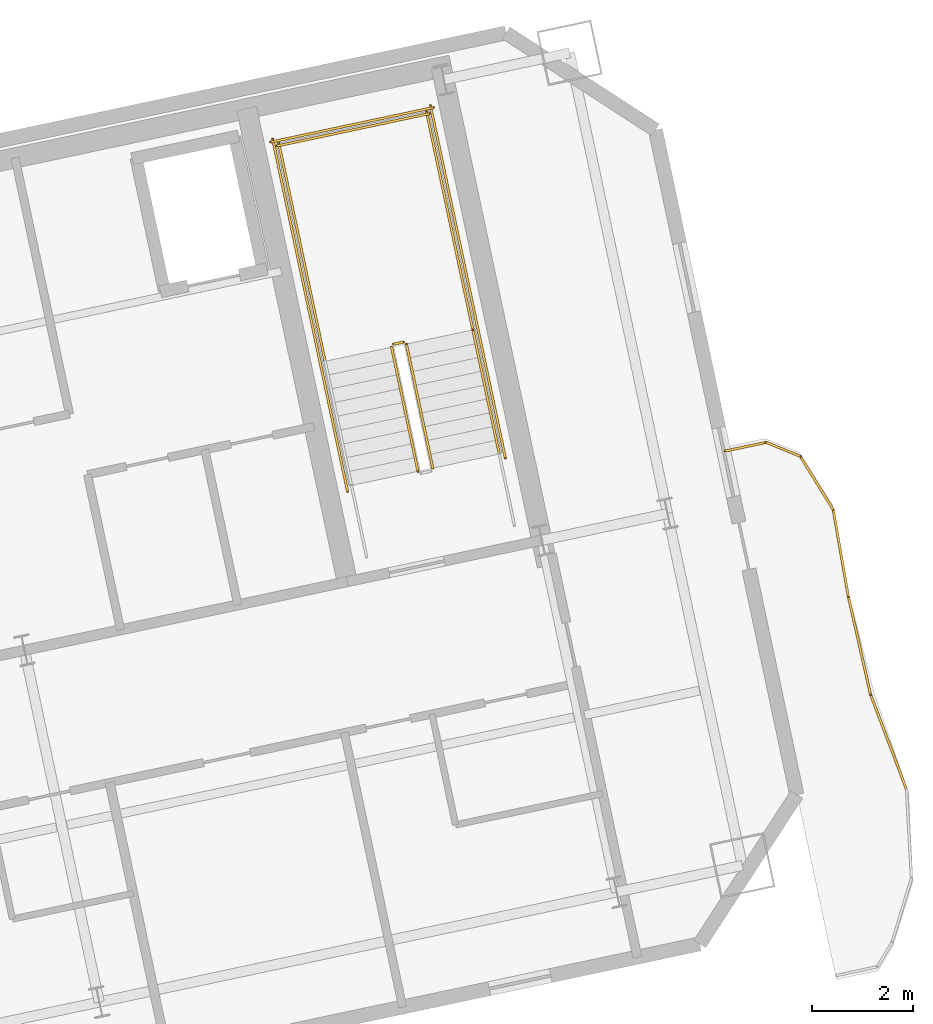
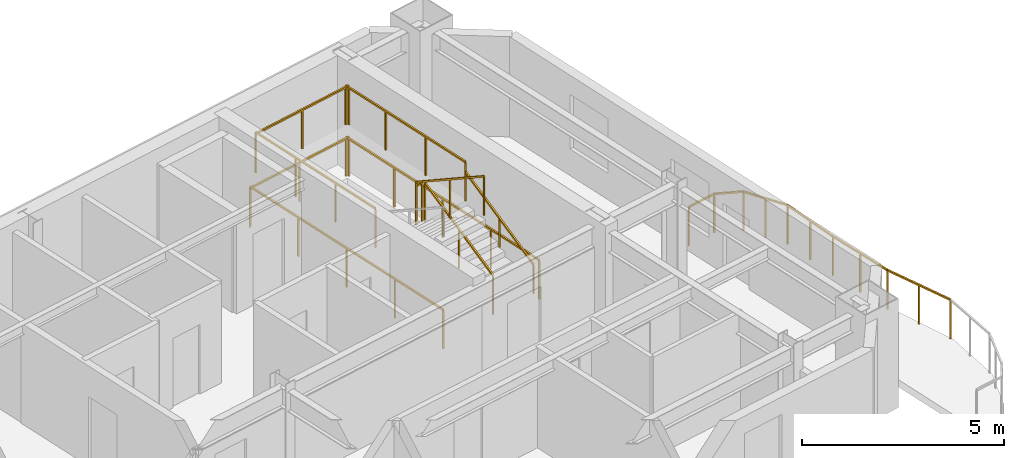
# One storey, part 14 of 14: 16 railings.
"""IFC4 building model written with IfcOpenShell, lengths in metres."""

import ifcopenshell
import ifcopenshell.guid

model = None  # the IFC model being written
_history = None  # IfcOwnerHistory: only IFC2X3 demands one
_inside = {}  # id of a spatial element -> (the spatial element, [elements in it])
_under = {}  # id of a project, library or spatial element -> (it, [spatial elements below it])
_declared = {}  # id of a project -> (the project, [libraries it declares])
_typed = {}  # id of a type object -> (the type object, [elements of that type])
_made_of = {}  # id of a material, layer set ... -> (it, [elements and type objects made of it])


def new_model(schema):
    """Start an empty IFC model of exactly this schema.

    Asked for "IFC4X3", IfcOpenShell would pick the latest addendum, in which some entities
    have other attributes; the version numbers below select the first issue.
    IFC2X3 requires an IfcOwnerHistory on every rooted entity: one is made here for all.
    """
    global model, _history
    if schema == "IFC4X3":
        model = ifcopenshell.file(schema_version=(4, 3, 0, 0))
    else:
        model = ifcopenshell.file(schema=schema)
    _inside.clear()
    _under.clear()
    _declared.clear()
    _typed.clear()
    _made_of.clear()
    _history = None
    if model.schema == "IFC2X3":
        org = make("IfcOrganization", Name="unknown")
        user = make(
            "IfcPersonAndOrganization",
            ThePerson=make("IfcPerson", FamilyName="unknown"),
            TheOrganization=org,
        )
        app = make(
            "IfcApplication",
            ApplicationDeveloper=org,
            Version="unknown",
            ApplicationFullName="unknown",
            ApplicationIdentifier="unknown",
        )
        _history = make(
            "IfcOwnerHistory",
            OwningUser=user,
            OwningApplication=app,
            ChangeAction="ADDED",
            CreationDate=0,
        )
    return model


def make(cls, **values):
    """One entity of the class cls with the attributes given. An attribute that is None is left unset."""
    return model.create_entity(
        cls, **{name: value for name, value in values.items() if value is not None}
    )


def rooted(cls, **values):
    """An entity with a GlobalId (a new one), such as an element, a storey or a relation."""
    return make(cls, GlobalId=ifcopenshell.guid.new(), OwnerHistory=_history, **values)


def si_unit(unit_type, name, prefix=None):
    """IfcSIUnit, for example si_unit("LENGTHUNIT", "METRE", prefix="MILLI")."""
    return make("IfcSIUnit", UnitType=unit_type, Prefix=prefix, Name=name)


def assignment(units):
    """IfcUnitAssignment: the units of a project."""
    return None if units is None else make("IfcUnitAssignment", Units=units)


def point(xyz):
    """IfcCartesianPoint."""
    return None if xyz is None else make("IfcCartesianPoint", Coordinates=xyz)


def direction(xyz):
    """IfcDirection."""
    return None if xyz is None else make("IfcDirection", DirectionRatios=xyz)


def frame(location, z_axis=None, x_axis=None):
    """IfcAxis2Placement3D, a coordinate frame: its origin and axes. An axis left out is left unset."""
    return make(
        "IfcAxis2Placement3D",
        Location=point(location),
        Axis=direction(z_axis),
        RefDirection=direction(x_axis),
    )


def frame_2d(location, x_axis=None):
    """IfcAxis2Placement2D, a coordinate frame in the plane: its origin and x axis."""
    return make(
        "IfcAxis2Placement2D", Location=point(location), RefDirection=direction(x_axis)
    )


def origin():
    """The frame at (0, 0, 0) with its axes left unset."""
    return frame((0.0, 0.0, 0.0))


def origin_2d():
    """The frame at (0, 0) in the plane with its x axis left unset."""
    return frame_2d((0.0, 0.0))


def place(relative_to, where):
    """IfcLocalPlacement: puts the frame where relative to a parent placement (None: the world)."""
    return make(
        "IfcLocalPlacement", PlacementRelTo=relative_to, RelativePlacement=where
    )


def context(
    kind, dimensions, precision=None, world=None, true_north=None, identifier=None
):
    """IfcGeometricRepresentationContext, for example the 3D "Model" context."""
    return make(
        "IfcGeometricRepresentationContext",
        ContextIdentifier=identifier,
        ContextType=kind,
        CoordinateSpaceDimension=dimensions,
        Precision=precision,
        WorldCoordinateSystem=world,
        TrueNorth=true_north,
    )


def subcontext(parent, identifier, kind, view, scale=None):
    """IfcGeometricRepresentationSubContext, for example "Body" below "Model"."""
    return make(
        "IfcGeometricRepresentationSubContext",
        ContextIdentifier=identifier,
        ContextType=kind,
        ParentContext=parent,
        TargetScale=scale,
        TargetView=view,
    )


def project(units=None, contexts=None):
    """IfcProject with its units and contexts."""
    return rooted(
        "IfcProject",
        Name="project",
        RepresentationContexts=contexts,
        UnitsInContext=assignment(units),
    )


def spatial(cls, under=None, at=None, **own):
    """A site, building, storey or space (cls), placed at a placement, below another one or the project."""
    s = rooted(cls, ObjectPlacement=at, **own)
    if under is not None:
        _under.setdefault(under.id(), (under, []))[1].append(s)
    return s


def profile(cls, at=None, kind="AREA", **sizes):
    """A parametric profile (cls). Its sizes go by their IFC names, for example OverallWidth=200.0."""
    return make(cls, ProfileType=kind, Position=at, **sizes)


def rectangle(**sizes):
    """IfcRectangleProfileDef."""
    return profile("IfcRectangleProfileDef", **sizes)


def extrude(swept, where, along, depth):
    """IfcExtrudedAreaSolid: the profile swept, set in the frame where, extruded along a direction by depth."""
    return make(
        "IfcExtrudedAreaSolid",
        SweptArea=swept,
        Position=where,
        ExtrudedDirection=direction(along),
        Depth=depth,
    )


def shape(context_of_items, identifier, shape_type, items):
    """IfcShapeRepresentation: the items that make up one representation, for example the "Body"."""
    return make(
        "IfcShapeRepresentation",
        ContextOfItems=context_of_items,
        RepresentationIdentifier=identifier,
        RepresentationType=shape_type,
        Items=items,
    )


def material(Name=None, Category=None):
    """IfcMaterial."""
    return make("IfcMaterial", Name=Name, Category=Category)


def made_of(thing, what):
    """Note that an element or type object is made of a material, layer set ...; save() writes the relation."""
    if what is not None:
        _made_of.setdefault(what.id(), (what, []))[1].append(thing)
    return thing


def type_object(cls, material=None, **own):
    """A type object (cls), such as IfcWallType, which elements share."""
    return made_of(rooted(cls, **own), material)


def element(
    cls,
    number,
    at=None,
    inside=None,
    cuts=None,
    type_object=None,
    material=None,
    context=None,
    identifier="Body",
    shape_type=None,
    held_by="IfcProductDefinitionShape",
    body=None,
    shapes=None,
    **own,
):
    """One element of the class cls, such as IfcWall. Its Tag is "e" and its number.

    at: its placement. inside: the storey or other place that contains it. cuts: it is an
    opening in that element (IfcRelVoidsElement). A single representation is given by context,
    identifier, shape_type and body (its items); several are given by shapes. held_by: the class
    of the entity that holds the representations. save() writes the other relations.
    """
    e = rooted(cls, Tag="e%d" % number, ObjectPlacement=at, **own)
    if body is not None:
        shapes = [shape(context, identifier, shape_type, body)]
    if shapes is not None:
        e.Representation = make(held_by, Representations=shapes)
    if inside is not None:
        _inside.setdefault(inside.id(), (inside, []))[1].append(e)
    if cuts is not None:
        rooted(
            "IfcRelVoidsElement", RelatingBuildingElement=cuts, RelatedOpeningElement=e
        )
    if type_object is not None:
        _typed.setdefault(type_object.id(), (type_object, []))[1].append(e)
    return made_of(e, material)


def aggregate(whole, parts):
    """IfcRelAggregates: a whole, such as a stair, and the parts it consists of."""
    return rooted("IfcRelAggregates", RelatingObject=whole, RelatedObjects=parts)


def save(model, path):
    """Write the relations noted so far, then the file.

    IfcRelAggregates (storeys below a building ...), IfcRelContainedInSpatialStructure (elements
    in a storey), IfcRelDefinesByType, IfcRelAssociatesMaterial and IfcRelDeclares: one each for
    every whole, place, type object, material and project.
    """
    for whole, parts in _under.values():
        aggregate(whole, parts)
    for where, things in _inside.values():
        rooted(
            "IfcRelContainedInSpatialStructure",
            RelatedElements=things,
            RelatingStructure=where,
        )
    for kind, things in _typed.values():
        rooted("IfcRelDefinesByType", RelatedObjects=things, RelatingType=kind)
    for what, things in _made_of.values():
        rooted("IfcRelAssociatesMaterial", RelatedObjects=things, RelatingMaterial=what)
    for by, libraries in _declared.values():
        rooted("IfcRelDeclares", RelatingContext=by, RelatedDefinitions=libraries)
    model.write(path)


model = new_model("IFC4")

# Units and contexts
model_context = context("Model", 3, precision=1e-05, world=origin(), true_north=direction((0.0, 1.0)))
body_context = subcontext(model_context, "Body", "Model", "MODEL_VIEW")
ifc_project = project(units=[si_unit("LENGTHUNIT", "METRE"), si_unit("AREAUNIT", "SQUARE_METRE"), si_unit("VOLUMEUNIT", "CUBIC_METRE"), si_unit("PLANEANGLEUNIT", "RADIAN"), si_unit("MASSUNIT", "GRAM", prefix="KILO")], contexts=[model_context])

# Site, building, storey
site_placement = place(None, origin())
site = spatial("IfcSite", under=ifc_project, at=site_placement, CompositionType="ELEMENT")
building_placement = place(site_placement, origin())
building = spatial("IfcBuilding", under=site, at=building_placement, Name="Haevon Station Towers", CompositionType="ELEMENT")
storey_placement = place(building_placement, frame((0.0, 0.0, 228.60009765625)))
storey = spatial("IfcBuildingStorey", under=building, at=storey_placement, Name="L63", CompositionType="ELEMENT", Elevation=228.60009765625)

# Railings
ifc_material = material(Name="Steel S355", Category="steel")
railing_type_1 = type_object("IfcRailingType", Name="GRD-EXT1200", PredefinedType="GUARDRAIL", material=ifc_material)
railing_1_placement = place(storey_placement, frame((126.531005859375, 36.8671875, 0.0)))
element("IfcRailing", 1, at=railing_1_placement, inside=storey, type_object=railing_type_1, Name="L63 Perimeter Guardrail 5", PredefinedType="GUARDRAIL", context=body_context, shape_type="SweptSolid", body=[
    extrude(rectangle(XDim=0.048095703125, YDim=0.048095703125, at=origin_2d()), frame((0.0, 0.0, 1.17578125), z_axis=(-0.35410675099, 0.935205009024, 0.0), x_axis=(-0.935205009024, -0.35410675099, 0.0)), (0.0, 0.0, 1.0), 2.0166015625),
    extrude(rectangle(XDim=0.0419921875, YDim=0.0419921875, at=origin_2d()), origin(), (0.0, 0.0, 1.0), 1.15185546875),
    extrude(rectangle(XDim=0.0419921875, YDim=0.0419921875, at=origin_2d()), frame((-0.35693359375, 0.94287109375, 0.0)), (0.0, 0.0, 1.0), 1.15185546875),
    extrude(rectangle(XDim=0.0419921875, YDim=0.0419921875, at=origin_2d()), frame((-0.714111328125, 1.885986328125, 0.0)), (0.0, 0.0, 1.0), 1.15185546875),
])
railing_2_placement = place(storey_placement, frame((125.81689453125, 38.753173828125, 0.0)))
element("IfcRailing", 2, at=railing_2_placement, inside=storey, type_object=railing_type_1, Name="L63 Perimeter Guardrail 6", PredefinedType="GUARDRAIL", context=body_context, shape_type="SweptSolid", body=[
    extrude(rectangle(XDim=0.048095703125, YDim=0.048095703125, at=origin_2d()), frame((0.0, 0.0, 1.17578125), z_axis=(-0.220411539334, 0.975406968054, 0.0), x_axis=(-0.975406968054, -0.220411539334, 0.0)), (0.0, 0.0, 1.0), 1.9892578125),
    extrude(rectangle(XDim=0.0419921875, YDim=0.0419921875, at=origin_2d()), origin(), (0.0, 0.0, 1.0), 1.15185546875),
    extrude(rectangle(XDim=0.0419921875, YDim=0.0419921875, at=origin_2d()), frame((-0.21923828125, 0.97021484375, 0.0)), (0.0, 0.0, 1.0), 1.15185546875),
    extrude(rectangle(XDim=0.0419921875, YDim=0.0419921875, at=origin_2d()), frame((-0.4384765625, 1.9404296875, 0.0)), (0.0, 0.0, 1.0), 1.15185546875),
])
railing_3_placement = place(storey_placement, frame((125.37841796875, 40.693603515625, 0.0)))
element("IfcRailing", 3, at=railing_3_placement, inside=storey, type_object=railing_type_1, Name="L63 Perimeter Guardrail 7", PredefinedType="GUARDRAIL", context=body_context, shape_type="SweptSolid", body=[
    extrude(rectangle(XDim=0.048095703125, YDim=0.048095703125, at=origin_2d()), frame((0.0, 0.0, 1.17578125), z_axis=(-0.171741201194, 0.98514210133, 0.0), x_axis=(-0.98514210133, -0.171741201194, 0.0)), (0.0, 0.0, 1.0), 1.75146484375),
    extrude(rectangle(XDim=0.0419921875, YDim=0.0419921875, at=origin_2d()), origin(), (0.0, 0.0, 1.0), 1.15185546875),
    extrude(rectangle(XDim=0.0419921875, YDim=0.0419921875, at=origin_2d()), frame((-0.150390625, 0.86279296875, 0.0)), (0.0, 0.0, 1.0), 1.15185546875),
    extrude(rectangle(XDim=0.0419921875, YDim=0.0419921875, at=origin_2d()), frame((-0.30078125, 1.725341796875, 0.0)), (0.0, 0.0, 1.0), 1.15185546875),
])
railing_4_placement = place(storey_placement, frame((125.07763671875, 42.4189453125, 0.0)))
element("IfcRailing", 4, at=railing_4_placement, inside=storey, type_object=railing_type_1, Name="L63 Perimeter Guardrail 8", PredefinedType="GUARDRAIL", context=body_context, shape_type="SweptSolid", body=[
    extrude(rectangle(XDim=0.048095703125, YDim=0.048095703125, at=origin_2d()), frame((0.0, 0.0, 1.17578125), z_axis=(-0.525806588811, 0.850604156563, 0.0), x_axis=(-0.850604156563, -0.525806588811, 0.0)), (0.0, 0.0, 1.0), 1.242431640625),
    extrude(rectangle(XDim=0.0419921875, YDim=0.0419921875, at=origin_2d()), origin(), (0.0, 0.0, 1.0), 1.15185546875),
    extrude(rectangle(XDim=0.0419921875, YDim=0.0419921875, at=origin_2d()), frame((-0.32666015625, 0.5283203125, 0.0)), (0.0, 0.0, 1.0), 1.15185546875),
    extrude(rectangle(XDim=0.0419921875, YDim=0.0419921875, at=origin_2d()), frame((-0.6533203125, 1.056884765625, 0.0)), (0.0, 0.0, 1.0), 1.15185546875),
])
railing_5_placement = place(storey_placement, frame((124.42431640625, 43.475830078125, 0.0)))
element("IfcRailing", 5, at=railing_5_placement, inside=storey, type_object=railing_type_1, Name="L63 Perimeter Guardrail 9", PredefinedType="GUARDRAIL", context=body_context, shape_type="SweptSolid", body=[
    extrude(rectangle(XDim=0.048095703125, YDim=0.048095703125, at=origin_2d()), frame((0.0, 0.0, 1.17578125), z_axis=(-0.925568245089, 0.378580802053, 0.0), x_axis=(-0.378580802053, -0.925568245089, 0.0)), (0.0, 0.0, 1.0), 0.730712890625),
    extrude(rectangle(XDim=0.0419921875, YDim=0.0419921875, at=origin_2d()), origin(), (0.0, 0.0, 1.0), 1.15185546875),
    extrude(rectangle(XDim=0.0419921875, YDim=0.0419921875, at=origin_2d()), frame((-0.67626953125, 0.276611328125, 0.0)), (0.0, 0.0, 1.0), 1.15185546875),
])
railing_6_placement = place(storey_placement, frame((123.748046875, 43.75244140625, 0.0)))
element("IfcRailing", 6, at=railing_6_placement, inside=storey, type_object=railing_type_1, Name="L63 Perimeter Guardrail 10", PredefinedType="GUARDRAIL", context=body_context, shape_type="SweptSolid", body=[
    extrude(rectangle(XDim=0.048095703125, YDim=0.048095703125, at=origin_2d()), frame((0.0, 0.0, 1.17578125), z_axis=(-0.978617737227, -0.20568744343, 0.0), x_axis=(0.20568744343, -0.978617737227, 0.0)), (0.0, 0.0, 1.0), 0.837890625),
    extrude(rectangle(XDim=0.0419921875, YDim=0.0419921875, at=origin_2d()), origin(), (0.0, 0.0, 1.0), 1.15185546875),
    extrude(rectangle(XDim=0.0419921875, YDim=0.0419921875, at=origin_2d()), frame((-0.820068359375, -0.17236328125, 0.0)), (0.0, 0.0, 1.0), 1.15185546875),
])
railing_type_2 = type_object("IfcRailingType", Name="GRD-STR1200", PredefinedType="GUARDRAIL", material=ifc_material)
railing_7_placement = place(storey_placement, frame((117.128662109375, 43.23974609375, 0.164794921875)))
element("IfcRailing", 7, at=railing_7_placement, inside=storey, type_object=railing_type_2, Name="L63 ST4 Stair Guard 1", PredefinedType="GUARDRAIL", context=body_context, shape_type="SweptSolid", body=[
    extrude(rectangle(XDim=0.048095703125, YDim=0.048095703125, at=origin_2d()), frame((0.0, 0.0, 1.17578125), z_axis=(-0.179121265225, 0.842687928106, 0.507732831485), x_axis=(-0.978147030254, -0.207914374695, 0.0)), (0.0, 0.0, 1.0), 2.925048828125),
    extrude(rectangle(XDim=0.0419921875, YDim=0.0419921875, at=origin_2d()), origin(), (0.0, 0.0, 1.0), 1.15185546875),
    extrude(rectangle(XDim=0.0419921875, YDim=0.0419921875, at=origin_2d()), frame((-0.261962890625, 1.232421875, 0.74267578125)), (0.0, 0.0, 1.0), 1.15185546875),
    extrude(rectangle(XDim=0.0419921875, YDim=0.0419921875, at=origin_2d()), frame((-0.52392578125, 2.46484375, 1.485107421875)), (0.0, 0.0, 1.0), 1.15185546875),
])
railing_8_placement = place(storey_placement, frame((116.54541015625, 45.7431640625, 1.64990234375)))
element("IfcRailing", 8, at=railing_8_placement, inside=storey, type_object=railing_type_2, Name="L63 ST4 Stair Guard 2", PredefinedType="GUARDRAIL", context=body_context, shape_type="SweptSolid", body=[
    extrude(rectangle(XDim=0.048095703125, YDim=0.048095703125, at=origin_2d()), frame((0.0, 0.0, 1.17578125), z_axis=(-0.97826412705, -0.207362720198, 0.0), x_axis=(0.207362720198, -0.97826412705, 0.0)), (0.0, 0.0, 1.0), 0.2001953125),
    extrude(rectangle(XDim=0.0419921875, YDim=0.0419921875, at=origin_2d()), origin(), (0.0, 0.0, 1.0), 1.15185546875),
    extrude(rectangle(XDim=0.0419921875, YDim=0.0419921875, at=origin_2d()), frame((-0.19580078125, -0.04150390625, 0.0)), (0.0, 0.0, 1.0), 1.15185546875),
])
railing_9_placement = place(storey_placement, frame((117.925048828125, 45.9853515625, 1.64990234375)))
element("IfcRailing", 9, at=railing_9_placement, inside=storey, type_object=railing_type_2, Name="L63 ST4 Stair Guard 3", PredefinedType="GUARDRAIL", context=body_context, shape_type="SweptSolid", body=[
    extrude(rectangle(XDim=0.048095703125, YDim=0.048095703125, at=origin_2d()), frame((0.0, 0.0, 1.17578125), z_axis=(-0.207876551949, 0.978155069071, 0.0), x_axis=(-0.978155069071, -0.207876551949, 0.0)), (0.0, 0.0, 1.0), 4.429931640625),
    extrude(rectangle(XDim=0.0419921875, YDim=0.0419921875, at=origin_2d()), origin(), (0.0, 0.0, 1.0), 1.15185546875),
    extrude(rectangle(XDim=0.0419921875, YDim=0.0419921875, at=origin_2d()), frame((-0.306884765625, 1.4443359375, 0.0)), (0.0, 0.0, 1.0), 1.15185546875),
    extrude(rectangle(XDim=0.0419921875, YDim=0.0419921875, at=origin_2d()), frame((-0.614013671875, 2.888916015625, 0.0)), (0.0, 0.0, 1.0), 1.15185546875),
    extrude(rectangle(XDim=0.0419921875, YDim=0.0419921875, at=origin_2d()), frame((-0.9208984375, 4.333251953125, 0.0)), (0.0, 0.0, 1.0), 1.15185546875),
])
railing_10_placement = place(storey_placement, frame((114.99072265625, 45.361572265625, 1.64990234375)))
element("IfcRailing", 10, at=railing_10_placement, inside=storey, type_object=railing_type_2, Name="L63 ST4 Stair Guard 4", PredefinedType="GUARDRAIL", context=body_context, shape_type="SweptSolid", body=[
    extrude(rectangle(XDim=0.048095703125, YDim=0.048095703125, at=origin_2d()), frame((0.0, 0.0, 1.17578125), z_axis=(-0.207929280007, 0.978143861871, 0.0), x_axis=(-0.978143861871, -0.207929280007, 0.0)), (0.0, 0.0, 1.0), 4.43017578125),
    extrude(rectangle(XDim=0.0419921875, YDim=0.0419921875, at=origin_2d()), origin(), (0.0, 0.0, 1.0), 1.15185546875),
    extrude(rectangle(XDim=0.0419921875, YDim=0.0419921875, at=origin_2d()), frame((-0.30712890625, 1.4443359375, 0.0)), (0.0, 0.0, 1.0), 1.15185546875),
    extrude(rectangle(XDim=0.0419921875, YDim=0.0419921875, at=origin_2d()), frame((-0.614013671875, 2.888916015625, 0.0)), (0.0, 0.0, 1.0), 1.15185546875),
    extrude(rectangle(XDim=0.0419921875, YDim=0.0419921875, at=origin_2d()), frame((-0.921142578125, 4.333251953125, 0.0)), (0.0, 0.0, 1.0), 1.15185546875),
])
railing_11_placement = place(storey_placement, frame((117.0634765625, 50.280029296875, 1.64990234375)))
element("IfcRailing", 11, at=railing_11_placement, inside=storey, type_object=railing_type_2, Name="L63 ST4 Stair Guard 5", PredefinedType="GUARDRAIL", context=body_context, shape_type="SweptSolid", body=[
    extrude(rectangle(XDim=0.048095703125, YDim=0.048095703125, at=origin_2d()), frame((0.0, 0.0, 1.17578125), z_axis=(-0.978146839882, -0.207915270313, 0.0), x_axis=(0.207915270313, -0.978146839882, 0.0)), (0.0, 0.0, 1.0), 3.099853515625),
    extrude(rectangle(XDim=0.0419921875, YDim=0.0419921875, at=origin_2d()), origin(), (0.0, 0.0, 1.0), 1.15185546875),
    extrude(rectangle(XDim=0.0419921875, YDim=0.0419921875, at=origin_2d()), frame((-1.51611328125, -0.322265625, 0.0)), (0.0, 0.0, 1.0), 1.15185546875),
    extrude(rectangle(XDim=0.0419921875, YDim=0.0419921875, at=origin_2d()), frame((-3.0322265625, -0.64453125, 0.0)), (0.0, 0.0, 1.0), 1.15185546875),
])
railing_12_placement = place(storey_placement, frame((116.311279296875, 45.642333984375, 1.81494140625)))
element("IfcRailing", 12, at=railing_12_placement, inside=storey, type_object=railing_type_2, Name="L63 ST4 Stair Guard 6", PredefinedType="GUARDRAIL", context=body_context, shape_type="SweptSolid", body=[
    extrude(rectangle(XDim=0.048095703125, YDim=0.048095703125, at=origin_2d()), frame((0.0, 0.0, 1.17578125), z_axis=(0.179116256339, -0.842747828638, 0.507635168246), x_axis=(0.978151217824, 0.207894673017, 0.0)), (0.0, 0.0, 1.0), 2.925048828125),
    extrude(rectangle(XDim=0.0419921875, YDim=0.0419921875, at=origin_2d()), origin(), (0.0, 0.0, 1.0), 1.15185546875),
    extrude(rectangle(XDim=0.0419921875, YDim=0.0419921875, at=origin_2d()), frame((0.261962890625, -1.232421875, 0.742431640625)), (0.0, 0.0, 1.0), 1.15185546875),
    extrude(rectangle(XDim=0.0419921875, YDim=0.0419921875, at=origin_2d()), frame((0.52392578125, -2.465087890625, 1.48486328125)), (0.0, 0.0, 1.0), 1.15185546875),
])
railing_13_placement = place(storey_placement, frame((118.567626953125, 43.443359375, 0.0)))
element("IfcRailing", 13, at=railing_13_placement, inside=storey, type_object=railing_type_2, Name="L63 ST4 Stair Guard 10", PredefinedType="GUARDRAIL", context=body_context, shape_type="SweptSolid", body=[
    extrude(rectangle(XDim=0.048095703125, YDim=0.048095703125, at=origin_2d()), frame((0.0, 0.0, 1.17578125), z_axis=(-0.207908168386, 0.978148349443, 0.0), x_axis=(-0.978148349443, -0.207908168386, 0.0)), (0.0, 0.0, 1.0), 7.150146484375),
    extrude(rectangle(XDim=0.0419921875, YDim=0.0419921875, at=origin_2d()), origin(), (0.0, 0.0, 1.0), 1.15185546875),
    extrude(rectangle(XDim=0.0419921875, YDim=0.0419921875, at=origin_2d()), frame((-0.37158203125, 1.74853515625, 0.0)), (0.0, 0.0, 1.0), 1.15185546875),
    extrude(rectangle(XDim=0.0419921875, YDim=0.0419921875, at=origin_2d()), frame((-0.7431640625, 3.4970703125, 0.0)), (0.0, 0.0, 1.0), 1.15185546875),
    extrude(rectangle(XDim=0.0419921875, YDim=0.0419921875, at=origin_2d()), frame((-1.114990234375, 5.245361328125, 0.0)), (0.0, 0.0, 1.0), 1.15185546875),
    extrude(rectangle(XDim=0.0419921875, YDim=0.0419921875, at=origin_2d()), frame((-1.486572265625, 6.993896484375, 0.0)), (0.0, 0.0, 1.0), 1.15185546875),
])
railing_14_placement = place(storey_placement, frame((115.4375, 42.778076171875, 0.0)))
element("IfcRailing", 14, at=railing_14_placement, inside=storey, type_object=railing_type_2, Name="L63 ST4 Stair Guard 11", PredefinedType="GUARDRAIL", context=body_context, shape_type="SweptSolid", body=[
    extrude(rectangle(XDim=0.048095703125, YDim=0.048095703125, at=origin_2d()), frame((0.0, 0.0, 1.17578125), z_axis=(-0.207882442208, 0.978153817261, 0.0), x_axis=(-0.978153817261, -0.207882442208, 0.0)), (0.0, 0.0, 1.0), 7.14990234375),
    extrude(rectangle(XDim=0.0419921875, YDim=0.0419921875, at=origin_2d()), origin(), (0.0, 0.0, 1.0), 1.15185546875),
    extrude(rectangle(XDim=0.0419921875, YDim=0.0419921875, at=origin_2d()), frame((-0.37158203125, 1.74853515625, 0.0)), (0.0, 0.0, 1.0), 1.15185546875),
    extrude(rectangle(XDim=0.0419921875, YDim=0.0419921875, at=origin_2d()), frame((-0.7431640625, 3.496826171875, 0.0)), (0.0, 0.0, 1.0), 1.15185546875),
    extrude(rectangle(XDim=0.0419921875, YDim=0.0419921875, at=origin_2d()), frame((-1.11474609375, 5.2451171875, 0.0)), (0.0, 0.0, 1.0), 1.15185546875),
    extrude(rectangle(XDim=0.0419921875, YDim=0.0419921875, at=origin_2d()), frame((-1.486328125, 6.99365234375, 0.0)), (0.0, 0.0, 1.0), 1.15185546875),
])
railing_15_placement = place(storey_placement, frame((117.140380859375, 50.398681640625, 0.0)))
element("IfcRailing", 15, at=railing_15_placement, inside=storey, type_object=railing_type_2, Name="L63 ST4 Stair Guard 12", PredefinedType="GUARDRAIL", context=body_context, shape_type="SweptSolid", body=[
    extrude(rectangle(XDim=0.048095703125, YDim=0.048095703125, at=origin_2d()), frame((0.0, 0.0, 1.17578125), z_axis=(-0.978135717418, -0.207967589567, 0.0), x_axis=(0.207967589567, -0.978135717418, 0.0)), (0.0, 0.0, 1.0), 3.300048828125),
    extrude(rectangle(XDim=0.0419921875, YDim=0.0419921875, at=origin_2d()), origin(), (0.0, 0.0, 1.0), 1.15185546875),
    extrude(rectangle(XDim=0.0419921875, YDim=0.0419921875, at=origin_2d()), frame((-1.61376953125, -0.34326171875, 0.0)), (0.0, 0.0, 1.0), 1.15185546875),
    extrude(rectangle(XDim=0.0419921875, YDim=0.0419921875, at=origin_2d()), frame((-3.227783203125, -0.686279296875, 0.0)), (0.0, 0.0, 1.0), 1.15185546875),
])
railing_type_3 = type_object("IfcRailingType", Name="HND-STR900", PredefinedType="HANDRAIL", material=ifc_material)
railing_16_placement = place(storey_placement, frame((118.448974609375, 43.5205078125, 0.164794921875)))
element("IfcRailing", 16, at=railing_16_placement, inside=storey, type_object=railing_type_3, Name="L63 ST4 Stair Handrail 1", PredefinedType="HANDRAIL", context=body_context, shape_type="SweptSolid", body=[
    extrude(rectangle(XDim=0.048095703125, YDim=0.048095703125, at=origin_2d()), frame((0.0, 0.0, 0.8759765625), z_axis=(-0.179121265225, 0.842687928106, 0.507732831485), x_axis=(-0.978147030254, -0.207914374695, 0.0)), (0.0, 0.0, 1.0), 2.925048828125),
    extrude(rectangle(XDim=0.0419921875, YDim=0.0419921875, at=origin_2d()), origin(), (0.0, 0.0, 1.0), 0.851806640625),
    extrude(rectangle(XDim=0.0419921875, YDim=0.0419921875, at=origin_2d()), frame((-0.261962890625, 1.232421875, 0.74267578125)), (0.0, 0.0, 1.0), 0.851806640625),
    extrude(rectangle(XDim=0.0419921875, YDim=0.0419921875, at=origin_2d()), frame((-0.52392578125, 2.46484375, 1.485107421875)), (0.0, 0.0, 1.0), 0.851806640625),
])

save(model, "model.ifc")
